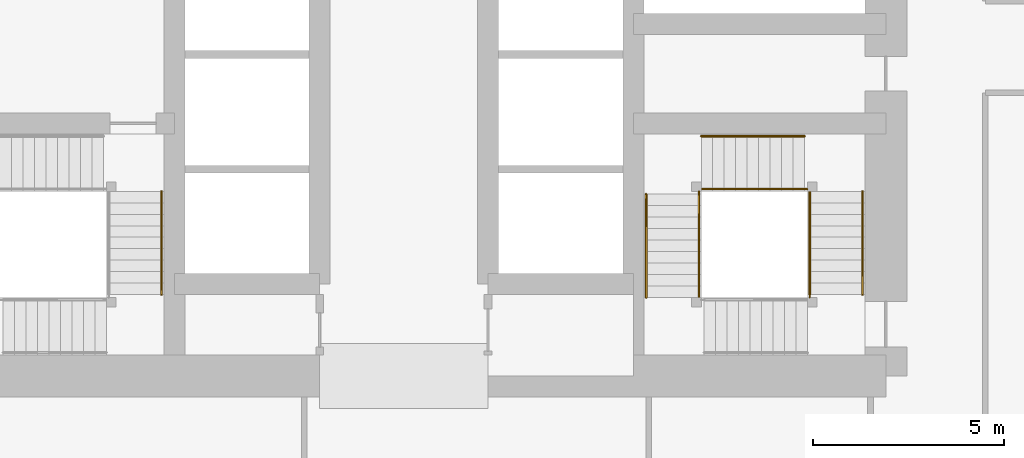
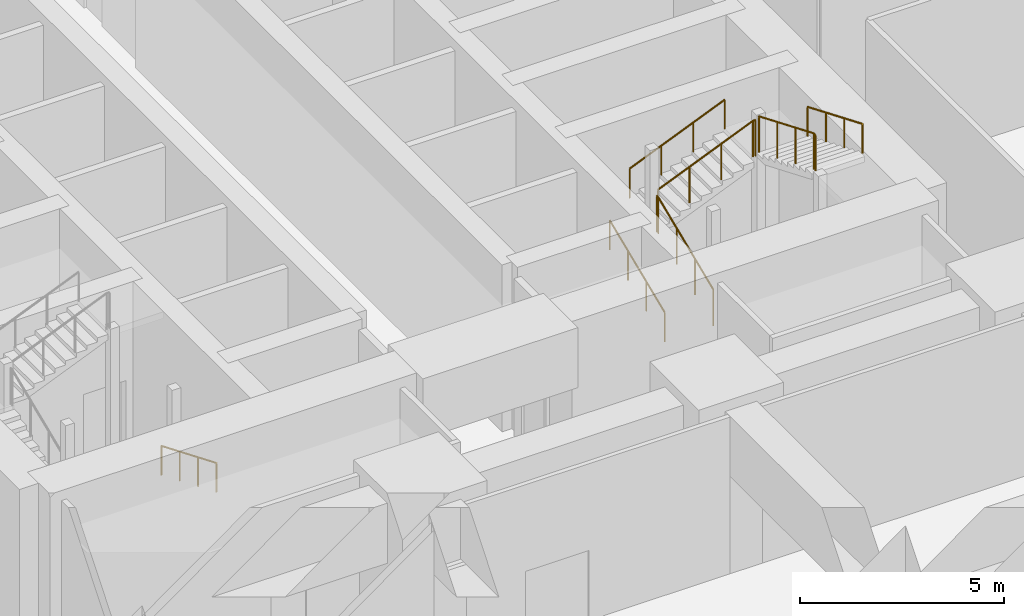
# One storey, part 44 of 49: 10 railings.
"""IFC4 building model written with IfcOpenShell, lengths in metres."""

from ifc_helpers import new_model, si_unit, direction, frame, origin, origin_2d, place, context, subcontext, project, spatial, circle, extrude, material, type_object, element, save


model = new_model("IFC4")

# Units and contexts
model_context = context("Model", 3, precision=1e-05, world=origin(), true_north=direction((0.0, 1.0)))
body_context = subcontext(model_context, "Body", "Model", "MODEL_VIEW")
ifc_project = project(units=[si_unit("LENGTHUNIT", "METRE"), si_unit("AREAUNIT", "SQUARE_METRE"), si_unit("VOLUMEUNIT", "CUBIC_METRE"), si_unit("PLANEANGLEUNIT", "RADIAN"), si_unit("MASSUNIT", "GRAM", prefix="KILO")], contexts=[model_context])

# Site, building, storey
site_placement = place(None, origin())
site = spatial("IfcSite", under=ifc_project, at=site_placement, CompositionType="ELEMENT")
building_placement = place(site_placement, origin())
building = spatial("IfcBuilding", under=site, at=building_placement, Name="Rekha Terrace Tower", CompositionType="ELEMENT")
storey_placement = place(building_placement, frame((0.0, 0.0, 5.39990234375)))
storey = spatial("IfcBuildingStorey", under=building, at=storey_placement, Name="L01", CompositionType="ELEMENT", Elevation=5.39990234375)

# Railings
ifc_material_1 = material(Name="Stainless steel balustrade", Category="steel")
railing_type_1 = type_object("IfcRailingType", Name="GR1 1100 stair guard", PredefinedType="GUARDRAIL", material=ifc_material_1)
railing_1_placement = place(storey_placement, frame((45.514892578125, 23.050048828125, 1.375)))
element("IfcRailing", 1, at=railing_1_placement, inside=storey, type_object=railing_type_1, Name="Guard ST3 L01 flight 2", PredefinedType="GUARDRAIL", context=body_context, shape_type="SweptSolid", body=[
    extrude(circle(Radius=0.02392578125, at=origin_2d()), frame((0.0, 0.0, 1.076171875), z_axis=(0.0, 0.923074453586, 0.384621311341), x_axis=(-1.0, 0.0, 0.0)), (0.0, 0.0, 1.0), 2.925048828125),
    extrude(circle(Radius=0.02099609375, at=origin_2d()), origin(), (0.0, 0.0, 1.0), 1.052001953125),
    extrude(circle(Radius=0.02099609375, at=origin_2d()), frame((0.0, 0.89990234375, 0.375)), (0.0, 0.0, 1.0), 1.052001953125),
    extrude(circle(Radius=0.02099609375, at=origin_2d()), frame((0.0, 1.800048828125, 0.75)), (0.0, 0.0, 1.0), 1.052001953125),
    extrude(circle(Radius=0.02099609375, at=origin_2d()), frame((0.0, 2.699951171875, 1.125)), (0.0, 0.0, 1.0), 1.052001953125),
])
railing_2_placement = place(storey_placement, frame((45.574951171875, 25.885009765625, 2.625)))
element("IfcRailing", 2, at=railing_2_placement, inside=storey, type_object=railing_type_1, Name="Guard ST3 L01 flight 3", PredefinedType="GUARDRAIL", context=body_context, shape_type="SweptSolid", body=[
    extrude(circle(Radius=0.02392578125, at=origin_2d()), frame((0.0, 0.0, 1.076171875), z_axis=(0.923074453586, 0.0, 0.384621311341), x_axis=(0.0, 1.0, 0.0)), (0.0, 0.0, 1.0), 2.925048828125),
    extrude(circle(Radius=0.02099609375, at=origin_2d()), origin(), (0.0, 0.0, 1.0), 1.052001953125),
    extrude(circle(Radius=0.02099609375, at=origin_2d()), frame((0.89990234375, 0.0, 0.375)), (0.0, 0.0, 1.0), 1.052001953125),
    extrude(circle(Radius=0.02099609375, at=origin_2d()), frame((1.800048828125, 0.0, 0.75)), (0.0, 0.0, 1.0), 1.052001953125),
    extrude(circle(Radius=0.02099609375, at=origin_2d()), frame((2.699951171875, 0.0, 1.125)), (0.0, 0.0, 1.0), 1.052001953125),
])
railing_3_placement = place(storey_placement, frame((48.409912109375, 25.824951171875, 3.875)))
element("IfcRailing", 3, at=railing_3_placement, inside=storey, type_object=railing_type_1, Name="Guard ST3 L01 flight 4", PredefinedType="GUARDRAIL", context=body_context, shape_type="SweptSolid", body=[
    extrude(circle(Radius=0.02392578125, at=origin_2d()), frame((0.0, 0.0, 1.076171875), z_axis=(0.0, -0.923074453586, 0.384621311341), x_axis=(1.0, 0.0, 0.0)), (0.0, 0.0, 1.0), 2.925048828125),
    extrude(circle(Radius=0.02099609375, at=origin_2d()), origin(), (0.0, 0.0, 1.0), 1.052001953125),
    extrude(circle(Radius=0.02099609375, at=origin_2d()), frame((0.0, -0.89990234375, 0.375)), (0.0, 0.0, 1.0), 1.052001953125),
    extrude(circle(Radius=0.02099609375, at=origin_2d()), frame((0.0, -1.800048828125, 0.75)), (0.0, 0.0, 1.0), 1.052001953125),
    extrude(circle(Radius=0.02099609375, at=origin_2d()), frame((0.0, -2.699951171875, 1.125)), (0.0, 0.0, 1.0), 1.052001953125),
])
railing_4_placement = place(storey_placement, frame((45.514892578125, 25.75, 2.5)))
element("IfcRailing", 4, at=railing_4_placement, inside=storey, type_object=railing_type_1, Name="Guard ST3 L01 landing 2", PredefinedType="GUARDRAIL", context=body_context, shape_type="SweptSolid", body=[
    extrude(circle(Radius=0.02392578125, at=origin_2d()), frame((0.0, 0.0, 1.076171875), z_axis=(0.0, 1.0, 0.0), x_axis=(-1.0, 0.0, 0.0)), (0.0, 0.0, 1.0), 0.074951171875),
    extrude(circle(Radius=0.02099609375, at=origin_2d()), origin(), (0.0, 0.0, 1.0), 1.052001953125),
    extrude(circle(Radius=0.02099609375, at=origin_2d()), frame((0.0, 0.074951171875, 0.0)), (0.0, 0.0, 1.0), 1.052001953125),
])
railing_5_placement = place(storey_placement, frame((48.35009765625, 25.885009765625, 3.75)))
element("IfcRailing", 5, at=railing_5_placement, inside=storey, type_object=railing_type_1, Name="Guard ST3 L01 landing 3", PredefinedType="GUARDRAIL", context=body_context, shape_type="SweptSolid", body=[
    extrude(circle(Radius=0.02392578125, at=origin_2d()), frame((0.0, 0.0, 1.076171875), z_axis=(-1.0, 0.0, 0.0), x_axis=(0.0, -1.0, 0.0)), (0.0, 0.0, 1.0), 0.0751953125),
    extrude(circle(Radius=0.02099609375, at=origin_2d()), origin(), (0.0, 0.0, 1.0), 1.052001953125),
    extrude(circle(Radius=0.02099609375, at=origin_2d()), frame((-0.0751953125, 0.0, 0.0)), (0.0, 0.0, 1.0), 1.052001953125),
])
railing_6_placement = place(storey_placement, frame((48.409912109375, 23.050048828125, 5.0)))
element("IfcRailing", 6, at=railing_6_placement, inside=storey, type_object=railing_type_1, Name="Guard ST3 L01 landing 4", PredefinedType="GUARDRAIL", context=body_context, shape_type="SweptSolid", body=[
    extrude(circle(Radius=0.02392578125, at=origin_2d()), frame((0.0, 0.0, 1.076171875), z_axis=(0.0, 1.0, 0.0), x_axis=(-1.0, 0.0, 0.0)), (0.0, 0.0, 1.0), 0.074951171875),
    extrude(circle(Radius=0.02099609375, at=origin_2d()), origin(), (0.0, 0.0, 1.0), 1.052001953125),
    extrude(circle(Radius=0.02099609375, at=origin_2d()), frame((0.0, 0.074951171875, 0.0)), (0.0, 0.0, 1.0), 1.052001953125),
])
ifc_material_2 = material(Name="Stainless steel tube", Category="steel")
railing_type_2 = type_object("IfcRailingType", Name="HR1 900 stair handrail", PredefinedType="HANDRAIL", material=ifc_material_2)
railing_7_placement = place(storey_placement, frame((31.465087890625, 25.824951171875, 0.125)))
element("IfcRailing", 7, at=railing_7_placement, inside=storey, type_object=railing_type_2, Name="Handrail ST1 L01 flight 1", PredefinedType="HANDRAIL", context=body_context, shape_type="SweptSolid", body=[
    extrude(circle(Radius=0.02392578125, at=origin_2d()), frame((0.0, 0.0, 0.8759765625), z_axis=(0.0, -0.923074453586, 0.384621311341), x_axis=(1.0, 0.0, 0.0)), (0.0, 0.0, 1.0), 2.925048828125),
    extrude(circle(Radius=0.02099609375, at=origin_2d()), origin(), (0.0, 0.0, 1.0), 0.851806640625),
    extrude(circle(Radius=0.02099609375, at=origin_2d()), frame((0.0, -0.89990234375, 0.375)), (0.0, 0.0, 1.0), 0.851806640625),
    extrude(circle(Radius=0.02099609375, at=origin_2d()), frame((0.0, -1.800048828125, 0.75)), (0.0, 0.0, 1.0), 0.851806640625),
    extrude(circle(Radius=0.02099609375, at=origin_2d()), frame((0.0, -2.699951171875, 1.125)), (0.0, 0.0, 1.0), 0.851806640625),
])
railing_8_placement = place(storey_placement, frame((44.135009765625, 23.050048828125, 1.375)))
element("IfcRailing", 8, at=railing_8_placement, inside=storey, type_object=railing_type_2, Name="Handrail ST3 L01 flight 2", PredefinedType="HANDRAIL", context=body_context, shape_type="SweptSolid", body=[
    extrude(circle(Radius=0.02392578125, at=origin_2d()), frame((0.0, 0.0, 0.8759765625), z_axis=(0.0, 0.923074453586, 0.384621311341), x_axis=(-1.0, 0.0, 0.0)), (0.0, 0.0, 1.0), 2.925048828125),
    extrude(circle(Radius=0.02099609375, at=origin_2d()), origin(), (0.0, 0.0, 1.0), 0.851806640625),
    extrude(circle(Radius=0.02099609375, at=origin_2d()), frame((0.0, 0.89990234375, 0.375)), (0.0, 0.0, 1.0), 0.851806640625),
    extrude(circle(Radius=0.02099609375, at=origin_2d()), frame((0.0, 1.800048828125, 0.75)), (0.0, 0.0, 1.0), 0.851806640625),
    extrude(circle(Radius=0.02099609375, at=origin_2d()), frame((0.0, 2.699951171875, 1.125)), (0.0, 0.0, 1.0), 0.851806640625),
])
railing_9_placement = place(storey_placement, frame((45.574951171875, 27.264892578125, 2.625)))
element("IfcRailing", 9, at=railing_9_placement, inside=storey, type_object=railing_type_2, Name="Handrail ST3 L01 flight 3", PredefinedType="HANDRAIL", context=body_context, shape_type="SweptSolid", body=[
    extrude(circle(Radius=0.02392578125, at=origin_2d()), frame((0.0, 0.0, 0.8759765625), z_axis=(0.923074453586, 0.0, 0.384621311341), x_axis=(0.0, 1.0, 0.0)), (0.0, 0.0, 1.0), 2.925048828125),
    extrude(circle(Radius=0.02099609375, at=origin_2d()), origin(), (0.0, 0.0, 1.0), 0.851806640625),
    extrude(circle(Radius=0.02099609375, at=origin_2d()), frame((0.89990234375, 0.0, 0.375)), (0.0, 0.0, 1.0), 0.851806640625),
    extrude(circle(Radius=0.02099609375, at=origin_2d()), frame((1.800048828125, 0.0, 0.75)), (0.0, 0.0, 1.0), 0.851806640625),
    extrude(circle(Radius=0.02099609375, at=origin_2d()), frame((2.699951171875, 0.0, 1.125)), (0.0, 0.0, 1.0), 0.851806640625),
])
railing_10_placement = place(storey_placement, frame((49.7900390625, 25.824951171875, 3.875)))
element("IfcRailing", 10, at=railing_10_placement, inside=storey, type_object=railing_type_2, Name="Handrail ST3 L01 flight 4", PredefinedType="HANDRAIL", context=body_context, shape_type="SweptSolid", body=[
    extrude(circle(Radius=0.02392578125, at=origin_2d()), frame((0.0, 0.0, 0.8759765625), z_axis=(0.0, -0.923074453586, 0.384621311341), x_axis=(1.0, 0.0, 0.0)), (0.0, 0.0, 1.0), 2.925048828125),
    extrude(circle(Radius=0.02099609375, at=origin_2d()), origin(), (0.0, 0.0, 1.0), 0.851806640625),
    extrude(circle(Radius=0.02099609375, at=origin_2d()), frame((0.0, -0.89990234375, 0.375)), (0.0, 0.0, 1.0), 0.851806640625),
    extrude(circle(Radius=0.02099609375, at=origin_2d()), frame((0.0, -1.800048828125, 0.75)), (0.0, 0.0, 1.0), 0.851806640625),
    extrude(circle(Radius=0.02099609375, at=origin_2d()), frame((0.0, -2.699951171875, 1.125)), (0.0, 0.0, 1.0), 0.851806640625),
])

save(model, "model.ifc")
